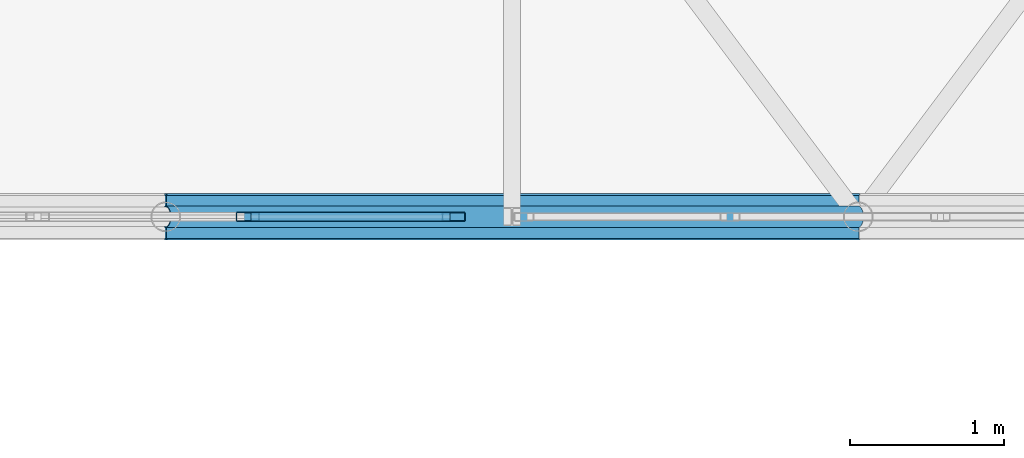
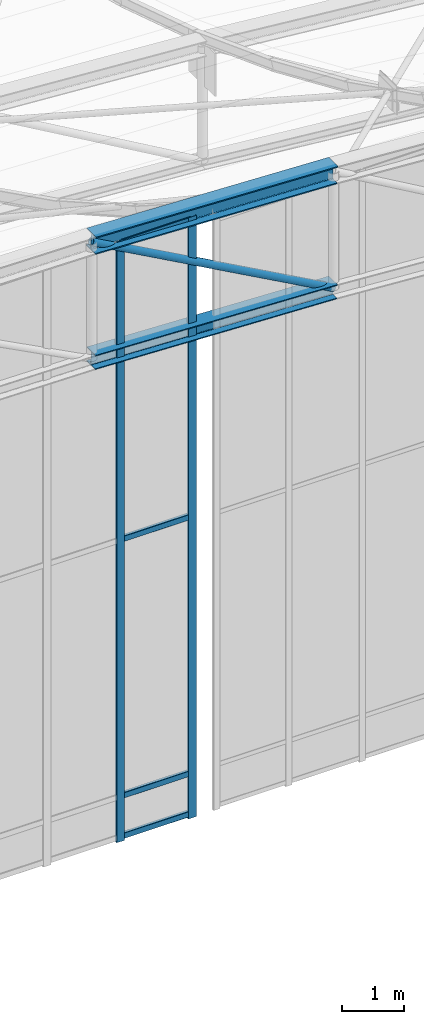
# One storey, part 59 of 262: 9 members, 1 element without a shape of its own.
"""IFC4 building model written with IfcOpenShell, lengths in metres."""

from ifc_helpers import new_model, si_unit, derived_unit, direction, frame, origin, origin_2d, place, context, subcontext, project, spatial, hollow_rectangle, hollow_circle, i_section, extrude, material, layer, layer_set, material_profile, profile_set, type_object, element, aggregate, save


model = new_model("IFC4")

# Units and contexts
model_context = context("Model", 3, precision=1e-05, world=origin(), true_north=direction((0.0, 1.0)))
body_context = subcontext(model_context, "Body", "Model", "MODEL_VIEW")
ifc_project = project(units=[si_unit("LENGTHUNIT", "METRE"), si_unit("AREAUNIT", "SQUARE_METRE"), si_unit("VOLUMEUNIT", "CUBIC_METRE"), si_unit("PLANEANGLEUNIT", "RADIAN"), si_unit("MASSUNIT", "GRAM", prefix="KILO"), derived_unit("THERMALTRANSMITTANCEUNIT", [(si_unit("POWERUNIT", "WATT"), 1), (si_unit("LENGTHUNIT", "METRE"), -2), (si_unit("THERMODYNAMICTEMPERATUREUNIT", "KELVIN"), -1)])], contexts=[model_context])

# Site, building, storey
site_placement = place(None, origin())
site = spatial("IfcSite", under=ifc_project, at=site_placement, CompositionType="ELEMENT")
building_placement = place(site_placement, origin())
building = spatial("IfcBuilding", under=site, at=building_placement, Name="Almenara Railside Exhibition Hall", CompositionType="ELEMENT")
storey_placement = place(building_placement, frame((0.0, 0.0, 21.699951171875)))
storey = spatial("IfcBuildingStorey", under=building, at=storey_placement, Name="RF", CompositionType="ELEMENT", Elevation=21.699951171875)

# Members
ifc_material_1 = material(Name="Structural steel S355JR", Category="steel")
ifc_material_profile_1 = material_profile(ifc_material_1, i_section(OverallWidth=0.280029296875, OverallDepth=0.280029296875, WebThickness=0.010498046875, FlangeThickness=0.01806640625, FilletRadius=0.02392578125, at=origin_2d()), Name="HEB 280")
ifc_profile_set_1 = profile_set([ifc_material_profile_1], Name="Structural steel S355JR")
member_type_1 = type_object("IfcMemberType", Name="Arched Gable Bottom Chord HEB 280 S355JR", PredefinedType="CHORD", material=ifc_profile_set_1)
member_1_placement = place(storey_placement, frame((43.5, 48.0, 8.739013671875), z_axis=(0.99917098071, 0.0, -0.04071057978), x_axis=(0.0, 1.0, 0.0)))
element("IfcMember", 1, at=member_1_placement, inside=storey, type_object=member_type_1, Name="MEM-BC-V1-00-07", PredefinedType="CHORD", context=body_context, shape_type="SweptSolid", body=[
    extrude(i_section(OverallWidth=0.280029296875, OverallDepth=0.280029296875, WebThickness=0.010498046875, FlangeThickness=0.01806640625, FilletRadius=0.02392578125, at=origin_2d()), origin(), (0.0, 0.0, 1.0), 4.503662109375),
])
ifc_material_profile_2 = material_profile(ifc_material_1, i_section(OverallWidth=0.300048828125, OverallDepth=0.340087890625, WebThickness=0.011962890625, FlangeThickness=0.021484375, FilletRadius=0.027099609375, at=origin_2d()), Name="HEB 340")
ifc_profile_set_2 = profile_set([ifc_material_profile_2], Name="Structural steel S355JR")
member_type_2 = type_object("IfcMemberType", Name="Arched Gable Top Chord HEB 340 S355JR", PredefinedType="CHORD", material=ifc_profile_set_2)
member_2_placement = place(storey_placement, frame((43.5, 48.0, 11.038818359375), z_axis=(0.999173184279, 0.0, -0.040656460949), x_axis=(0.0, 1.0, 0.0)))
element("IfcMember", 2, at=member_2_placement, inside=storey, type_object=member_type_2, Name="MEM-TC-V1-00-07", PredefinedType="CHORD", context=body_context, shape_type="SweptSolid", body=[
    extrude(i_section(OverallWidth=0.300048828125, OverallDepth=0.340087890625, WebThickness=0.011962890625, FlangeThickness=0.021484375, FilletRadius=0.027099609375, at=origin_2d()), origin(), (0.0, 0.0, 1.0), 4.503662109375),
])

# Curtain wall, members
ifc_material_2 = material(Name="Bronze-anodised aluminium and low-E double glazing", Category="aluminium")
ifc_layer = layer(ifc_material_2, 0.179931640625, Name="Bronze-anodised aluminium and low-E double glazing")
ifc_layer_set = layer_set([ifc_layer], Name="Bronze-anodised aluminium and low-E double glazing")
curtain_wall_type = type_object("IfcCurtainWallType", Name="Scroll Gable Tall Curtain Wall 3800x5400", PredefinedType="NOTDEFINED", material=ifc_layer_set)
curtain_wall_placement = place(storey_placement, origin())
curtain_wall = element("IfcCurtainWall", 3, at=curtain_wall_placement, inside=storey, type_object=curtain_wall_type, Name="Curtain wall CW-G1-202", PredefinedType="NOTDEFINED")
ifc_material_3 = material(Name="Bronze-anodised aluminium", Category="aluminium")
ifc_material_profile_3 = material_profile(ifc_material_3, hollow_rectangle(XDim=0.06005859375, YDim=0.14990234375, WallThickness=0.00341796875, InnerFilletRadius=0.00341796875, OuterFilletRadius=0.007080078125, at=origin_2d()), Name="ALU-MUL 60x150x3.5")
ifc_profile_set_3 = profile_set([ifc_material_profile_3], Name="Bronze-anodised aluminium")
member_type_3 = type_object("IfcMemberType", Name="Curtain Wall Mullion 60x150x3.5", PredefinedType="MULLION", material=ifc_profile_set_3)
member_3_placement = place(storey_placement, frame((44.033447265625, 48.0, -0.93505859375), z_axis=(0.0, 0.0, 1.0), x_axis=(0.0, 1.0, 0.0)))
member_3 = element("IfcMember", 4, at=member_3_placement, type_object=member_type_3, Name="CW-G1-202 mullion 3", PredefinedType="MULLION", context=body_context, shape_type="SweptSolid", body=[
    extrude(hollow_rectangle(XDim=0.06005859375, YDim=0.14990234375, WallThickness=0.00341796875, InnerFilletRadius=0.00341796875, OuterFilletRadius=0.007080078125, at=origin_2d()), origin(), (0.0, 0.0, 1.0), 11.8251953125),
])
member_4_placement = place(storey_placement, frame((45.3701171875, 48.0, -0.93505859375), z_axis=(0.0, 0.0, 1.0), x_axis=(0.0, 1.0, 0.0)))
member_4 = element("IfcMember", 5, at=member_4_placement, type_object=member_type_3, Name="CW-G1-202 mullion 4", PredefinedType="MULLION", context=body_context, shape_type="SweptSolid", body=[
    extrude(hollow_rectangle(XDim=0.06005859375, YDim=0.14990234375, WallThickness=0.00341796875, InnerFilletRadius=0.00341796875, OuterFilletRadius=0.007080078125, at=origin_2d()), origin(), (0.0, 0.0, 1.0), 11.8251953125),
])
ifc_material_profile_4 = material_profile(ifc_material_3, hollow_rectangle(XDim=0.06005859375, YDim=0.110107421875, WallThickness=0.0029296875, InnerFilletRadius=0.0029296875, OuterFilletRadius=0.006103515625, at=origin_2d()), Name="ALU-TRN 60x110x3")
ifc_profile_set_4 = profile_set([ifc_material_profile_4], Name="Bronze-anodised aluminium")
member_type_4 = type_object("IfcMemberType", Name="Curtain Wall Transom 60x110x3", PredefinedType="USERDEFINED", material=ifc_profile_set_4)
member_5_placement = place(storey_placement, frame((44.055419921875, 48.0, -0.844970703125), z_axis=(1.0, 0.0, 0.0), x_axis=(0.0, 1.0, 0.0)))
member_5 = element("IfcMember", 6, at=member_5_placement, type_object=member_type_4, Name="CW-G1-202 transom 3.1", ObjectType="TRANSOM", PredefinedType="USERDEFINED", context=body_context, shape_type="SweptSolid", body=[
    extrude(hollow_rectangle(XDim=0.06005859375, YDim=0.110107421875, WallThickness=0.0029296875, InnerFilletRadius=0.0029296875, OuterFilletRadius=0.006103515625, at=origin_2d()), origin(), (0.0, 0.0, 1.0), 1.29248046875),
])
member_6_placement = place(storey_placement, frame((44.055419921875, 48.0, -0.050048828125), z_axis=(1.0, 0.0, 0.0), x_axis=(0.0, 1.0, 0.0)))
member_6 = element("IfcMember", 7, at=member_6_placement, type_object=member_type_4, Name="CW-G1-202 transom 3.2", ObjectType="TRANSOM", PredefinedType="USERDEFINED", context=body_context, shape_type="SweptSolid", body=[
    extrude(hollow_rectangle(XDim=0.06005859375, YDim=0.110107421875, WallThickness=0.0029296875, InnerFilletRadius=0.0029296875, OuterFilletRadius=0.006103515625, at=origin_2d()), origin(), (0.0, 0.0, 1.0), 1.29248046875),
])
member_7_placement = place(storey_placement, frame((44.055419921875, 48.0, 4.9951171875), z_axis=(1.0, 0.0, 0.0), x_axis=(0.0, 1.0, 0.0)))
member_7 = element("IfcMember", 8, at=member_7_placement, type_object=member_type_4, Name="CW-G1-202 transom 3.3", ObjectType="TRANSOM", PredefinedType="USERDEFINED", context=body_context, shape_type="SweptSolid", body=[
    extrude(hollow_rectangle(XDim=0.06005859375, YDim=0.110107421875, WallThickness=0.0029296875, InnerFilletRadius=0.0029296875, OuterFilletRadius=0.006103515625, at=origin_2d()), origin(), (0.0, 0.0, 1.0), 1.29248046875),
])
member_8_placement = place(storey_placement, frame((44.055419921875, 48.0, 10.8349609375), z_axis=(1.0, 0.0, 0.0), x_axis=(0.0, 1.0, 0.0)))
member_8 = element("IfcMember", 9, at=member_8_placement, type_object=member_type_4, Name="CW-G1-202 transom 3.4", ObjectType="TRANSOM", PredefinedType="USERDEFINED", context=body_context, shape_type="SweptSolid", body=[
    extrude(hollow_rectangle(XDim=0.06005859375, YDim=0.110107421875, WallThickness=0.0029296875, InnerFilletRadius=0.0029296875, OuterFilletRadius=0.006103515625, at=origin_2d()), origin(), (0.0, 0.0, 1.0), 1.29248046875),
])
aggregate(curtain_wall, [member_3, member_4, member_5, member_6, member_7, member_8])

# Member
ifc_material_profile_5 = material_profile(ifc_material_1, hollow_circle(Radius=0.06982421875, WallThickness=0.0048828125, at=origin_2d()), Name="CHS 139.7x5")
ifc_profile_set_5 = profile_set([ifc_material_profile_5], Name="Structural steel S355JR")
member_type_5 = type_object("IfcMemberType", Name="Truss Inner Diagonal CHS 139.7x5 S355JR", PredefinedType="BRACE", material=ifc_profile_set_5)
member_9_placement = place(storey_placement, frame((43.5, 48.0, 11.038818359375), z_axis=(0.875545119572, 0.0, -0.483136361283), x_axis=(0.0, 1.0, 0.0)))
element("IfcMember", 10, at=member_9_placement, inside=storey, type_object=member_type_5, Name="MEM-TD-V1-00-07", PredefinedType="BRACE", context=body_context, shape_type="SweptSolid", body=[
    extrude(hollow_circle(Radius=0.06982421875, WallThickness=0.0048828125, at=origin_2d()), origin(), (0.0, 0.0, 1.0), 5.1396484375),
])

save(model, "model.ifc")
